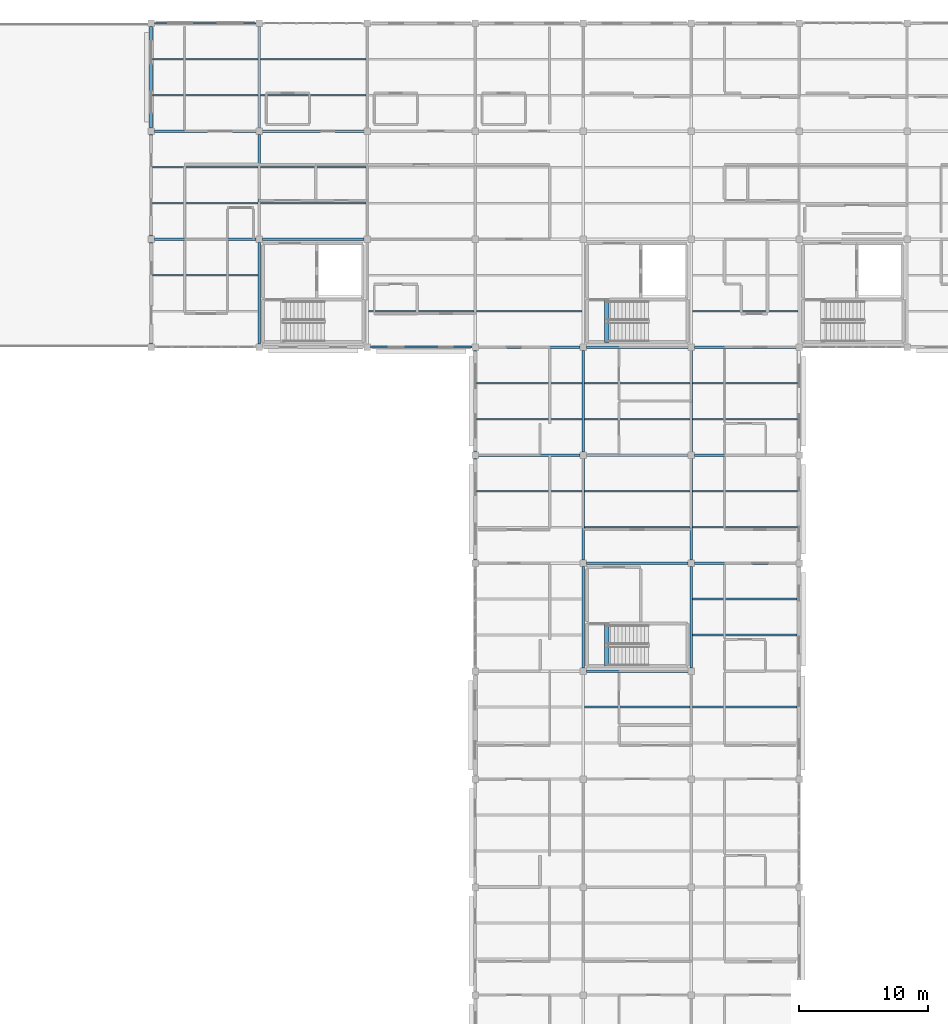
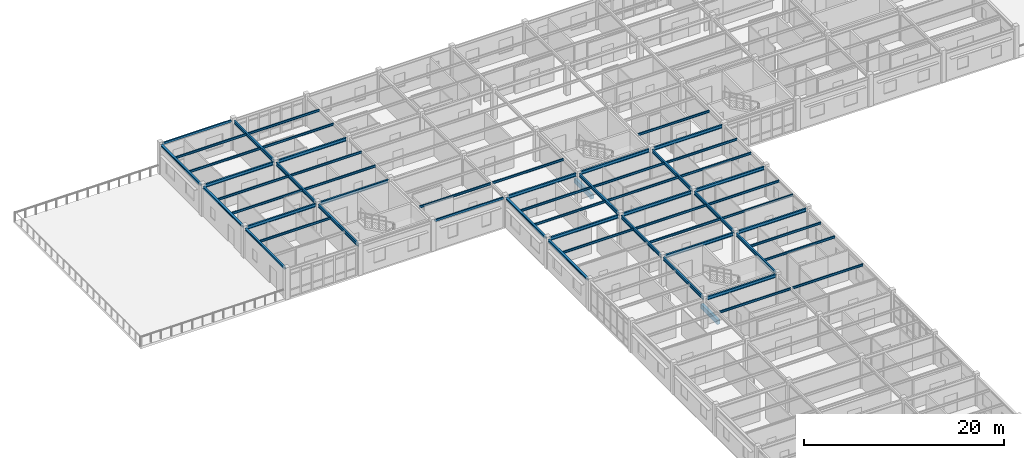
# One storey, part 15 of 53: 58 beams.
"""IFC4 building model written with IfcOpenShell, lengths in metres."""

import ifcopenshell
import ifcopenshell.guid

model = None  # the IFC model being written
_history = None  # IfcOwnerHistory: only IFC2X3 demands one
_inside = {}  # id of a spatial element -> (the spatial element, [elements in it])
_under = {}  # id of a project, library or spatial element -> (it, [spatial elements below it])
_declared = {}  # id of a project -> (the project, [libraries it declares])
_typed = {}  # id of a type object -> (the type object, [elements of that type])
_made_of = {}  # id of a material, layer set ... -> (it, [elements and type objects made of it])


def new_model(schema):
    """Start an empty IFC model of exactly this schema.

    Asked for "IFC4X3", IfcOpenShell would pick the latest addendum, in which some entities
    have other attributes; the version numbers below select the first issue.
    IFC2X3 requires an IfcOwnerHistory on every rooted entity: one is made here for all.
    """
    global model, _history
    if schema == "IFC4X3":
        model = ifcopenshell.file(schema_version=(4, 3, 0, 0))
    else:
        model = ifcopenshell.file(schema=schema)
    _inside.clear()
    _under.clear()
    _declared.clear()
    _typed.clear()
    _made_of.clear()
    _history = None
    if model.schema == "IFC2X3":
        org = make("IfcOrganization", Name="unknown")
        user = make(
            "IfcPersonAndOrganization",
            ThePerson=make("IfcPerson", FamilyName="unknown"),
            TheOrganization=org,
        )
        app = make(
            "IfcApplication",
            ApplicationDeveloper=org,
            Version="unknown",
            ApplicationFullName="unknown",
            ApplicationIdentifier="unknown",
        )
        _history = make(
            "IfcOwnerHistory",
            OwningUser=user,
            OwningApplication=app,
            ChangeAction="ADDED",
            CreationDate=0,
        )
    return model


def make(cls, **values):
    """One entity of the class cls with the attributes given. An attribute that is None is left unset."""
    return model.create_entity(
        cls, **{name: value for name, value in values.items() if value is not None}
    )


def rooted(cls, **values):
    """An entity with a GlobalId (a new one), such as an element, a storey or a relation."""
    return make(cls, GlobalId=ifcopenshell.guid.new(), OwnerHistory=_history, **values)


def si_unit(unit_type, name, prefix=None):
    """IfcSIUnit, for example si_unit("LENGTHUNIT", "METRE", prefix="MILLI")."""
    return make("IfcSIUnit", UnitType=unit_type, Prefix=prefix, Name=name)


def assignment(units):
    """IfcUnitAssignment: the units of a project."""
    return None if units is None else make("IfcUnitAssignment", Units=units)


def point(xyz):
    """IfcCartesianPoint."""
    return None if xyz is None else make("IfcCartesianPoint", Coordinates=xyz)


def direction(xyz):
    """IfcDirection."""
    return None if xyz is None else make("IfcDirection", DirectionRatios=xyz)


def frame(location, z_axis=None, x_axis=None):
    """IfcAxis2Placement3D, a coordinate frame: its origin and axes. An axis left out is left unset."""
    return make(
        "IfcAxis2Placement3D",
        Location=point(location),
        Axis=direction(z_axis),
        RefDirection=direction(x_axis),
    )


def frame_2d(location, x_axis=None):
    """IfcAxis2Placement2D, a coordinate frame in the plane: its origin and x axis."""
    return make(
        "IfcAxis2Placement2D", Location=point(location), RefDirection=direction(x_axis)
    )


def origin():
    """The frame at (0, 0, 0) with its axes left unset."""
    return frame((0.0, 0.0, 0.0))


def origin_2d():
    """The frame at (0, 0) in the plane with its x axis left unset."""
    return frame_2d((0.0, 0.0))


def place(relative_to, where):
    """IfcLocalPlacement: puts the frame where relative to a parent placement (None: the world)."""
    return make(
        "IfcLocalPlacement", PlacementRelTo=relative_to, RelativePlacement=where
    )


def context(
    kind, dimensions, precision=None, world=None, true_north=None, identifier=None
):
    """IfcGeometricRepresentationContext, for example the 3D "Model" context."""
    return make(
        "IfcGeometricRepresentationContext",
        ContextIdentifier=identifier,
        ContextType=kind,
        CoordinateSpaceDimension=dimensions,
        Precision=precision,
        WorldCoordinateSystem=world,
        TrueNorth=true_north,
    )


def subcontext(parent, identifier, kind, view, scale=None):
    """IfcGeometricRepresentationSubContext, for example "Body" below "Model"."""
    return make(
        "IfcGeometricRepresentationSubContext",
        ContextIdentifier=identifier,
        ContextType=kind,
        ParentContext=parent,
        TargetScale=scale,
        TargetView=view,
    )


def project(units=None, contexts=None):
    """IfcProject with its units and contexts."""
    return rooted(
        "IfcProject",
        Name="project",
        RepresentationContexts=contexts,
        UnitsInContext=assignment(units),
    )


def spatial(cls, under=None, at=None, **own):
    """A site, building, storey or space (cls), placed at a placement, below another one or the project."""
    s = rooted(cls, ObjectPlacement=at, **own)
    if under is not None:
        _under.setdefault(under.id(), (under, []))[1].append(s)
    return s


def profile(cls, at=None, kind="AREA", **sizes):
    """A parametric profile (cls). Its sizes go by their IFC names, for example OverallWidth=200.0."""
    return make(cls, ProfileType=kind, Position=at, **sizes)


def rectangle(**sizes):
    """IfcRectangleProfileDef."""
    return profile("IfcRectangleProfileDef", **sizes)


def hollow_rectangle(**sizes):
    """IfcRectangleHollowProfileDef."""
    return profile("IfcRectangleHollowProfileDef", **sizes)


def i_section(**sizes):
    """IfcIShapeProfileDef."""
    return profile("IfcIShapeProfileDef", **sizes)


def extrude(swept, where, along, depth):
    """IfcExtrudedAreaSolid: the profile swept, set in the frame where, extruded along a direction by depth."""
    return make(
        "IfcExtrudedAreaSolid",
        SweptArea=swept,
        Position=where,
        ExtrudedDirection=direction(along),
        Depth=depth,
    )


def shape(context_of_items, identifier, shape_type, items):
    """IfcShapeRepresentation: the items that make up one representation, for example the "Body"."""
    return make(
        "IfcShapeRepresentation",
        ContextOfItems=context_of_items,
        RepresentationIdentifier=identifier,
        RepresentationType=shape_type,
        Items=items,
    )


def material(Name=None, Category=None):
    """IfcMaterial."""
    return make("IfcMaterial", Name=Name, Category=Category)


def material_profile(
    of_material, cross_section, Name=None, Category=None, Priority=None
):
    """IfcMaterialProfile: a cross section and its material."""
    return make(
        "IfcMaterialProfile",
        Name=Name,
        Material=of_material,
        Profile=cross_section,
        Priority=Priority,
        Category=Category,
    )


def profile_set(profiles, Name=None, composite=None):
    """IfcMaterialProfileSet."""
    return make(
        "IfcMaterialProfileSet",
        Name=Name,
        MaterialProfiles=profiles,
        CompositeProfile=composite,
    )


def made_of(thing, what):
    """Note that an element or type object is made of a material, layer set ...; save() writes the relation."""
    if what is not None:
        _made_of.setdefault(what.id(), (what, []))[1].append(thing)
    return thing


def type_object(cls, material=None, **own):
    """A type object (cls), such as IfcWallType, which elements share."""
    return made_of(rooted(cls, **own), material)


def element(
    cls,
    number,
    at=None,
    inside=None,
    cuts=None,
    type_object=None,
    material=None,
    context=None,
    identifier="Body",
    shape_type=None,
    held_by="IfcProductDefinitionShape",
    body=None,
    shapes=None,
    **own,
):
    """One element of the class cls, such as IfcWall. Its Tag is "e" and its number.

    at: its placement. inside: the storey or other place that contains it. cuts: it is an
    opening in that element (IfcRelVoidsElement). A single representation is given by context,
    identifier, shape_type and body (its items); several are given by shapes. held_by: the class
    of the entity that holds the representations. save() writes the other relations.
    """
    e = rooted(cls, Tag="e%d" % number, ObjectPlacement=at, **own)
    if body is not None:
        shapes = [shape(context, identifier, shape_type, body)]
    if shapes is not None:
        e.Representation = make(held_by, Representations=shapes)
    if inside is not None:
        _inside.setdefault(inside.id(), (inside, []))[1].append(e)
    if cuts is not None:
        rooted(
            "IfcRelVoidsElement", RelatingBuildingElement=cuts, RelatedOpeningElement=e
        )
    if type_object is not None:
        _typed.setdefault(type_object.id(), (type_object, []))[1].append(e)
    return made_of(e, material)


def aggregate(whole, parts):
    """IfcRelAggregates: a whole, such as a stair, and the parts it consists of."""
    return rooted("IfcRelAggregates", RelatingObject=whole, RelatedObjects=parts)


def save(model, path):
    """Write the relations noted so far, then the file.

    IfcRelAggregates (storeys below a building ...), IfcRelContainedInSpatialStructure (elements
    in a storey), IfcRelDefinesByType, IfcRelAssociatesMaterial and IfcRelDeclares: one each for
    every whole, place, type object, material and project.
    """
    for whole, parts in _under.values():
        aggregate(whole, parts)
    for where, things in _inside.values():
        rooted(
            "IfcRelContainedInSpatialStructure",
            RelatedElements=things,
            RelatingStructure=where,
        )
    for kind, things in _typed.values():
        rooted("IfcRelDefinesByType", RelatedObjects=things, RelatingType=kind)
    for what, things in _made_of.values():
        rooted("IfcRelAssociatesMaterial", RelatedObjects=things, RelatingMaterial=what)
    for by, libraries in _declared.values():
        rooted("IfcRelDeclares", RelatingContext=by, RelatedDefinitions=libraries)
    model.write(path)


model = new_model("IFC4")

# Units and contexts
model_context = context("Model", 3, precision=1e-05, world=origin(), true_north=direction((0.0, 1.0)))
body_context = subcontext(model_context, "Body", "Model", "MODEL_VIEW")
ifc_project = project(units=[si_unit("LENGTHUNIT", "METRE"), si_unit("AREAUNIT", "SQUARE_METRE"), si_unit("VOLUMEUNIT", "CUBIC_METRE"), si_unit("PLANEANGLEUNIT", "RADIAN"), si_unit("MASSUNIT", "GRAM", prefix="KILO")], contexts=[model_context])

# Site, building, storey
site_placement = place(None, origin())
site = spatial("IfcSite", under=ifc_project, at=site_placement, CompositionType="ELEMENT")
building_placement = place(site_placement, origin())
building = spatial("IfcBuilding", under=site, at=building_placement, Name="Bramfleet General Hospital", CompositionType="ELEMENT")
storey_placement = place(building_placement, frame((0.0, 0.0, 26.39990234375)))
storey = spatial("IfcBuildingStorey", under=building, at=storey_placement, Name="L06", CompositionType="ELEMENT", Elevation=26.39990234375)

# Beams
ifc_material_1 = material(Name="Steel S355", Category="steel")
ifc_material_profile_1 = material_profile(ifc_material_1, i_section(OverallWidth=0.239990234375, OverallDepth=0.22998046875, WebThickness=0.007568359375, FlangeThickness=0.011962890625, FilletRadius=0.02099609375, at=origin_2d()), Name="HEA 240")
ifc_profile_set_1 = profile_set([ifc_material_profile_1], Name="Steel S355")
beam_type_1 = type_object("IfcBeamType", Name="BM-HEA240", PredefinedType="SPANDREL", material=ifc_profile_set_1)
beam_1_placement = place(storey_placement, frame((67.199951171875, 92.64990234375, 3.505126953125), z_axis=(0.0, 1.0, 0.0), x_axis=(-1.0, 0.0, 0.0)))
element("IfcBeam", 1, at=beam_1_placement, inside=storey, type_object=beam_type_1, Name="L06 Grid Beam Y 08-11", PredefinedType="SPANDREL", context=body_context, shape_type="SweptSolid", body=[
    extrude(i_section(OverallWidth=0.239990234375, OverallDepth=0.22998046875, WebThickness=0.007568359375, FlangeThickness=0.011962890625, FilletRadius=0.02099609375, at=origin_2d()), origin(), (0.0, 0.0, 1.0), 7.900146484375),
])
beam_2_placement = place(storey_placement, frame((67.199951171875, 101.050048828125, 3.505126953125), z_axis=(0.0, 1.0, 0.0), x_axis=(-1.0, 0.0, 0.0)))
element("IfcBeam", 2, at=beam_2_placement, inside=storey, type_object=beam_type_1, Name="L06 Grid Beam Y 08-12", PredefinedType="SPANDREL", context=body_context, shape_type="SweptSolid", body=[
    extrude(i_section(OverallWidth=0.239990234375, OverallDepth=0.22998046875, WebThickness=0.007568359375, FlangeThickness=0.011962890625, FilletRadius=0.02099609375, at=origin_2d()), origin(), (0.0, 0.0, 1.0), 7.89990234375),
])
beam_3_placement = place(storey_placement, frame((67.199951171875, 109.449951171875, 3.505126953125), z_axis=(0.0, 1.0, 0.0), x_axis=(-1.0, 0.0, 0.0)))
element("IfcBeam", 3, at=beam_3_placement, inside=storey, type_object=beam_type_1, Name="L06 Grid Beam Y 08-13", PredefinedType="SPANDREL", context=body_context, shape_type="SweptSolid", body=[
    extrude(i_section(OverallWidth=0.239990234375, OverallDepth=0.22998046875, WebThickness=0.007568359375, FlangeThickness=0.011962890625, FilletRadius=0.02099609375, at=origin_2d()), origin(), (0.0, 0.0, 1.0), 7.900146484375),
])
for number, where, z_axis, x_axis, name in (
    (4, (92.39990234375, 75.85009765625, 3.505126953125), (0.0, 1.0, 0.0), (-1.0, 0.0, 0.0), "L06 Grid Beam Y 11-09"),
    (5, (92.39990234375, 84.25, 3.505126953125), (0.0, 1.0, 0.0), (-1.0, 0.0, 0.0), "L06 Grid Beam Y 11-10"),
):
    element("IfcBeam", number, at=place(storey_placement, frame(where, z_axis=z_axis, x_axis=x_axis)), inside=storey, type_object=beam_type_1, Name=name, PredefinedType="SPANDREL", context=body_context, shape_type="SweptSolid", body=[
        extrude(i_section(OverallWidth=0.239990234375, OverallDepth=0.22998046875, WebThickness=0.007568359375, FlangeThickness=0.011962890625, FilletRadius=0.02099609375, at=origin_2d()), origin(), (0.0, 0.0, 1.0), 7.89990234375),
    ])
ifc_material_profile_2 = material_profile(ifc_material_1, i_section(OverallWidth=0.135009765625, OverallDepth=0.27001953125, WebThickness=0.006591796875, FlangeThickness=0.01025390625, FilletRadius=0.014892578125, at=origin_2d()), Name="IPE 270")
ifc_profile_set_2 = profile_set([ifc_material_profile_2], Name="Steel S355")
beam_type_2 = type_object("IfcBeamType", Name="BM-IPE270", PredefinedType="JOIST", material=ifc_profile_set_2)
for number, where, z_axis, x_axis, name in (
    (6, (67.320068359375, 98.0, 3.485107421875), (1.0, 0.0, 0.0), (0.0, 1.0, 0.0), "L06 Secondary Joist 08-11-2"),
    (7, (67.320068359375, 103.60009765625, 3.485107421875), (1.0, 0.0, 0.0), (0.0, 1.0, 0.0), "L06 Secondary Joist 08-12-1"),
    (8, (67.320068359375, 106.39990234375, 3.485107421875), (1.0, 0.0, 0.0), (0.0, 1.0, 0.0), "L06 Secondary Joist 08-12-2"),
    (9, (67.320068359375, 112.0, 3.485107421875), (1.0, 0.0, 0.0), (0.0, 1.0, 0.0), "L06 Secondary Joist 08-13-1"),
    (10, (67.320068359375, 114.800048828125, 3.485107421875), (1.0, 0.0, 0.0), (0.0, 1.0, 0.0), "L06 Secondary Joist 08-13-2"),
):
    element("IfcBeam", number, at=place(storey_placement, frame(where, z_axis=z_axis, x_axis=x_axis)), inside=storey, type_object=beam_type_2, Name=name, PredefinedType="JOIST", context=body_context, shape_type="SweptSolid", body=[
        extrude(i_section(OverallWidth=0.135009765625, OverallDepth=0.27001953125, WebThickness=0.006591796875, FlangeThickness=0.01025390625, FilletRadius=0.014892578125, at=origin_2d()), origin(), (0.0, 0.0, 1.0), 8.18994140625),
    ])
for number, where, z_axis, x_axis, name in (
    (11, (75.68994140625, 103.60009765625, 3.485107421875), (1.0, 0.0, 0.0), (0.0, 1.0, 0.0), "L06 Secondary Joist 09-12-1"),
    (12, (75.68994140625, 106.39990234375, 3.485107421875), (1.0, 0.0, 0.0), (0.0, 1.0, 0.0), "L06 Secondary Joist 09-12-2"),
    (13, (75.68994140625, 112.0, 3.485107421875), (1.0, 0.0, 0.0), (0.0, 1.0, 0.0), "L06 Secondary Joist 09-13-1"),
    (14, (75.68994140625, 114.800048828125, 3.485107421875), (1.0, 0.0, 0.0), (0.0, 1.0, 0.0), "L06 Secondary Joist 09-13-2"),
    (15, (84.090087890625, 95.199951171875, 3.485107421875), (1.0, 0.0, 0.0), (0.0, 1.0, 0.0), "L06 Secondary Joist 10-11-1"),
):
    element("IfcBeam", number, at=place(storey_placement, frame(where, z_axis=z_axis, x_axis=x_axis)), inside=storey, type_object=beam_type_2, Name=name, PredefinedType="JOIST", context=body_context, shape_type="SweptSolid", body=[
        extrude(i_section(OverallWidth=0.135009765625, OverallDepth=0.27001953125, WebThickness=0.006591796875, FlangeThickness=0.01025390625, FilletRadius=0.014892578125, at=origin_2d()), origin(), (0.0, 0.0, 1.0), 8.219970703125),
    ])
for number, where, z_axis, x_axis, name in (
    (16, (92.52001953125, 81.199951171875, 3.485107421875), (1.0, 0.0, 0.0), (0.0, 1.0, 0.0), "L06 Secondary Joist 11-09-2"),
    (17, (92.52001953125, 86.800048828125, 3.485107421875), (1.0, 0.0, 0.0), (0.0, 1.0, 0.0), "L06 Secondary Joist 11-10-1"),
    (18, (92.52001953125, 89.60009765625, 3.485107421875), (1.0, 0.0, 0.0), (0.0, 1.0, 0.0), "L06 Secondary Joist 11-10-2"),
):
    element("IfcBeam", number, at=place(storey_placement, frame(where, z_axis=z_axis, x_axis=x_axis)), inside=storey, type_object=beam_type_2, Name=name, PredefinedType="JOIST", context=body_context, shape_type="SweptSolid", body=[
        extrude(i_section(OverallWidth=0.135009765625, OverallDepth=0.27001953125, WebThickness=0.006591796875, FlangeThickness=0.01025390625, FilletRadius=0.014892578125, at=origin_2d()), origin(), (0.0, 0.0, 1.0), 8.18994140625),
    ])
beam_4_placement = place(storey_placement, frame((92.489990234375, 95.199951171875, 3.485107421875), z_axis=(1.0, 0.0, 0.0), x_axis=(0.0, 1.0, 0.0)))
element("IfcBeam", 19, at=beam_4_placement, inside=storey, type_object=beam_type_2, Name="L06 Secondary Joist 11-11-1", PredefinedType="JOIST", context=body_context, shape_type="SweptSolid", body=[
    extrude(i_section(OverallWidth=0.135009765625, OverallDepth=0.27001953125, WebThickness=0.006591796875, FlangeThickness=0.01025390625, FilletRadius=0.014892578125, at=origin_2d()), origin(), (0.0, 0.0, 1.0), 8.219970703125),
])
for number, where, z_axis, x_axis, name in (
    (20, (100.889892578125, 64.39990234375, 3.485107421875), (1.0, 0.0, 0.0), (0.0, 1.0, 0.0), "L06 Secondary Joist 12-07-2"),
    (21, (100.889892578125, 78.39990234375, 3.485107421875), (1.0, 0.0, 0.0), (0.0, 1.0, 0.0), "L06 Secondary Joist 12-09-1"),
    (22, (100.889892578125, 81.199951171875, 3.485107421875), (1.0, 0.0, 0.0), (0.0, 1.0, 0.0), "L06 Secondary Joist 12-09-2"),
    (23, (100.889892578125, 86.800048828125, 3.485107421875), (1.0, 0.0, 0.0), (0.0, 1.0, 0.0), "L06 Secondary Joist 12-10-1"),
    (24, (100.889892578125, 89.60009765625, 3.485107421875), (1.0, 0.0, 0.0), (0.0, 1.0, 0.0), "L06 Secondary Joist 12-10-2"),
):
    element("IfcBeam", number, at=place(storey_placement, frame(where, z_axis=z_axis, x_axis=x_axis)), inside=storey, type_object=beam_type_2, Name=name, PredefinedType="JOIST", context=body_context, shape_type="SweptSolid", body=[
        extrude(i_section(OverallWidth=0.135009765625, OverallDepth=0.27001953125, WebThickness=0.006591796875, FlangeThickness=0.01025390625, FilletRadius=0.014892578125, at=origin_2d()), origin(), (0.0, 0.0, 1.0), 8.22021484375),
    ])
for number, where, z_axis, x_axis, name in (
    (25, (109.2900390625, 64.39990234375, 3.485107421875), (1.0, 0.0, 0.0), (0.0, 1.0, 0.0), "L06 Secondary Joist 13-07-2"),
    (26, (109.2900390625, 70.0, 3.485107421875), (1.0, 0.0, 0.0), (0.0, 1.0, 0.0), "L06 Secondary Joist 13-08-1"),
    (27, (109.2900390625, 72.800048828125, 3.485107421875), (1.0, 0.0, 0.0), (0.0, 1.0, 0.0), "L06 Secondary Joist 13-08-2"),
):
    element("IfcBeam", number, at=place(storey_placement, frame(where, z_axis=z_axis, x_axis=x_axis)), inside=storey, type_object=beam_type_2, Name=name, PredefinedType="JOIST", context=body_context, shape_type="SweptSolid", body=[
        extrude(i_section(OverallWidth=0.135009765625, OverallDepth=0.27001953125, WebThickness=0.006591796875, FlangeThickness=0.01025390625, FilletRadius=0.014892578125, at=origin_2d()), origin(), (0.0, 0.0, 1.0), 8.159912109375),
    ])
for number, where, z_axis, x_axis, name in (
    (28, (109.2900390625, 78.39990234375, 3.485107421875), (1.0, 0.0, 0.0), (0.0, 1.0, 0.0), "L06 Secondary Joist 13-09-1"),
    (29, (109.2900390625, 81.199951171875, 3.485107421875), (1.0, 0.0, 0.0), (0.0, 1.0, 0.0), "L06 Secondary Joist 13-09-2"),
    (30, (109.2900390625, 86.800048828125, 3.485107421875), (1.0, 0.0, 0.0), (0.0, 1.0, 0.0), "L06 Secondary Joist 13-10-1"),
    (31, (109.2900390625, 89.60009765625, 3.485107421875), (1.0, 0.0, 0.0), (0.0, 1.0, 0.0), "L06 Secondary Joist 13-10-2"),
):
    element("IfcBeam", number, at=place(storey_placement, frame(where, z_axis=z_axis, x_axis=x_axis)), inside=storey, type_object=beam_type_2, Name=name, PredefinedType="JOIST", context=body_context, shape_type="SweptSolid", body=[
        extrude(i_section(OverallWidth=0.135009765625, OverallDepth=0.27001953125, WebThickness=0.006591796875, FlangeThickness=0.01025390625, FilletRadius=0.014892578125, at=origin_2d()), origin(), (0.0, 0.0, 1.0), 8.18994140625),
    ])
beam_5_placement = place(storey_placement, frame((109.2900390625, 95.199951171875, 3.485107421875), z_axis=(1.0, 0.0, 0.0), x_axis=(0.0, 1.0, 0.0)))
element("IfcBeam", 32, at=beam_5_placement, inside=storey, type_object=beam_type_2, Name="L06 Secondary Joist 13-11-1", PredefinedType="JOIST", context=body_context, shape_type="SweptSolid", body=[
    extrude(i_section(OverallWidth=0.135009765625, OverallDepth=0.27001953125, WebThickness=0.006591796875, FlangeThickness=0.01025390625, FilletRadius=0.014892578125, at=origin_2d()), origin(), (0.0, 0.0, 1.0), 8.219970703125),
])
ifc_material_profile_3 = material_profile(ifc_material_1, i_section(OverallWidth=0.179931640625, OverallDepth=0.39990234375, WebThickness=0.008544921875, FlangeThickness=0.013427734375, FilletRadius=0.02099609375, at=origin_2d()), Name="IPE 400")
ifc_profile_set_3 = profile_set([ifc_material_profile_3], Name="Steel S355")
beam_type_3 = type_object("IfcBeamType", Name="BM-IPE400", PredefinedType="BEAM", material=ifc_profile_set_3)
for number, where, z_axis, x_axis, name in (
    (33, (67.449951171875, 100.800048828125, 3.420166015625), (1.0, 0.0, 0.0), (0.0, 1.0, 0.0), "L06 Grid Beam X 08-12"),
    (34, (67.449951171875, 109.199951171875, 3.420166015625), (1.0, 0.0, 0.0), (0.0, 1.0, 0.0), "L06 Grid Beam X 08-13"),
):
    element("IfcBeam", number, at=place(storey_placement, frame(where, z_axis=z_axis, x_axis=x_axis)), inside=storey, type_object=beam_type_3, Name=name, PredefinedType="BEAM", context=body_context, shape_type="SweptSolid", body=[
        extrude(i_section(OverallWidth=0.179931640625, OverallDepth=0.39990234375, WebThickness=0.008544921875, FlangeThickness=0.013427734375, FilletRadius=0.02099609375, at=origin_2d()), origin(), (0.0, 0.0, 1.0), 7.900146484375),
    ])
for number, where, z_axis, x_axis, name in (
    (35, (75.85009765625, 100.800048828125, 3.420166015625), (1.0, 0.0, 0.0), (0.0, 1.0, 0.0), "L06 Grid Beam X 09-12"),
    (36, (75.85009765625, 109.199951171875, 3.420166015625), (1.0, 0.0, 0.0), (0.0, 1.0, 0.0), "L06 Grid Beam X 09-13"),
):
    element("IfcBeam", number, at=place(storey_placement, frame(where, z_axis=z_axis, x_axis=x_axis)), inside=storey, type_object=beam_type_3, Name=name, PredefinedType="BEAM", context=body_context, shape_type="SweptSolid", body=[
        extrude(i_section(OverallWidth=0.179931640625, OverallDepth=0.39990234375, WebThickness=0.008544921875, FlangeThickness=0.013427734375, FilletRadius=0.02099609375, at=origin_2d()), origin(), (0.0, 0.0, 1.0), 7.89990234375),
    ])
for number, where, z_axis, x_axis, name in (
    (37, (92.64990234375, 84.0, 3.420166015625), (1.0, 0.0, 0.0), (0.0, 1.0, 0.0), "L06 Grid Beam X 11-10"),
    (38, (92.64990234375, 92.39990234375, 3.420166015625), (1.0, 0.0, 0.0), (0.0, 1.0, 0.0), "L06 Grid Beam X 11-11"),
):
    element("IfcBeam", number, at=place(storey_placement, frame(where, z_axis=z_axis, x_axis=x_axis)), inside=storey, type_object=beam_type_3, Name=name, PredefinedType="BEAM", context=body_context, shape_type="SweptSolid", body=[
        extrude(i_section(OverallWidth=0.179931640625, OverallDepth=0.39990234375, WebThickness=0.008544921875, FlangeThickness=0.013427734375, FilletRadius=0.02099609375, at=origin_2d()), origin(), (0.0, 0.0, 1.0), 7.900146484375),
    ])
for number, where, z_axis, x_axis, name in (
    (39, (101.050048828125, 67.199951171875, 3.420166015625), (1.0, 0.0, 0.0), (0.0, 1.0, 0.0), "L06 Grid Beam X 12-08"),
    (40, (101.050048828125, 75.60009765625, 3.420166015625), (1.0, 0.0, 0.0), (0.0, 1.0, 0.0), "L06 Grid Beam X 12-09"),
    (41, (101.050048828125, 84.0, 3.420166015625), (1.0, 0.0, 0.0), (0.0, 1.0, 0.0), "L06 Grid Beam X 12-10"),
    (42, (101.050048828125, 92.39990234375, 3.420166015625), (1.0, 0.0, 0.0), (0.0, 1.0, 0.0), "L06 Grid Beam X 12-11"),
):
    element("IfcBeam", number, at=place(storey_placement, frame(where, z_axis=z_axis, x_axis=x_axis)), inside=storey, type_object=beam_type_3, Name=name, PredefinedType="BEAM", context=body_context, shape_type="SweptSolid", body=[
        extrude(i_section(OverallWidth=0.179931640625, OverallDepth=0.39990234375, WebThickness=0.008544921875, FlangeThickness=0.013427734375, FilletRadius=0.02099609375, at=origin_2d()), origin(), (0.0, 0.0, 1.0), 7.89990234375),
    ])
for number, where, z_axis, x_axis, name in (
    (43, (109.449951171875, 75.60009765625, 3.420166015625), (1.0, 0.0, 0.0), (0.0, 1.0, 0.0), "L06 Grid Beam X 13-09"),
    (44, (109.449951171875, 84.0, 3.420166015625), (1.0, 0.0, 0.0), (0.0, 1.0, 0.0), "L06 Grid Beam X 13-10"),
    (45, (109.449951171875, 92.39990234375, 3.420166015625), (1.0, 0.0, 0.0), (0.0, 1.0, 0.0), "L06 Grid Beam X 13-11"),
    (46, (75.60009765625, 92.64990234375, 3.420166015625), (0.0, 1.0, 0.0), (-1.0, 0.0, 0.0), "L06 Grid Beam Y 09-11"),
):
    element("IfcBeam", number, at=place(storey_placement, frame(where, z_axis=z_axis, x_axis=x_axis)), inside=storey, type_object=beam_type_3, Name=name, PredefinedType="BEAM", context=body_context, shape_type="SweptSolid", body=[
        extrude(i_section(OverallWidth=0.179931640625, OverallDepth=0.39990234375, WebThickness=0.008544921875, FlangeThickness=0.013427734375, FilletRadius=0.02099609375, at=origin_2d()), origin(), (0.0, 0.0, 1.0), 7.900146484375),
    ])
beam_6_placement = place(storey_placement, frame((75.60009765625, 101.050048828125, 3.420166015625), z_axis=(0.0, 1.0, 0.0), x_axis=(-1.0, 0.0, 0.0)))
element("IfcBeam", 47, at=beam_6_placement, inside=storey, type_object=beam_type_3, Name="L06 Grid Beam Y 09-12", PredefinedType="BEAM", context=body_context, shape_type="SweptSolid", body=[
    extrude(i_section(OverallWidth=0.179931640625, OverallDepth=0.39990234375, WebThickness=0.008544921875, FlangeThickness=0.013427734375, FilletRadius=0.02099609375, at=origin_2d()), origin(), (0.0, 0.0, 1.0), 7.89990234375),
])
for number, where, z_axis, x_axis, name in (
    (48, (75.60009765625, 109.449951171875, 3.420166015625), (0.0, 1.0, 0.0), (-1.0, 0.0, 0.0), "L06 Grid Beam Y 09-13"),
    (49, (100.800048828125, 67.449951171875, 3.420166015625), (0.0, 1.0, 0.0), (-1.0, 0.0, 0.0), "L06 Grid Beam Y 12-08"),
):
    element("IfcBeam", number, at=place(storey_placement, frame(where, z_axis=z_axis, x_axis=x_axis)), inside=storey, type_object=beam_type_3, Name=name, PredefinedType="BEAM", context=body_context, shape_type="SweptSolid", body=[
        extrude(i_section(OverallWidth=0.179931640625, OverallDepth=0.39990234375, WebThickness=0.008544921875, FlangeThickness=0.013427734375, FilletRadius=0.02099609375, at=origin_2d()), origin(), (0.0, 0.0, 1.0), 7.900146484375),
    ])
for number, where, z_axis, x_axis, name in (
    (50, (100.800048828125, 75.85009765625, 3.420166015625), (0.0, 1.0, 0.0), (-1.0, 0.0, 0.0), "L06 Grid Beam Y 12-09"),
    (51, (100.800048828125, 84.25, 3.420166015625), (0.0, 1.0, 0.0), (-1.0, 0.0, 0.0), "L06 Grid Beam Y 12-10"),
):
    element("IfcBeam", number, at=place(storey_placement, frame(where, z_axis=z_axis, x_axis=x_axis)), inside=storey, type_object=beam_type_3, Name=name, PredefinedType="BEAM", context=body_context, shape_type="SweptSolid", body=[
        extrude(i_section(OverallWidth=0.179931640625, OverallDepth=0.39990234375, WebThickness=0.008544921875, FlangeThickness=0.013427734375, FilletRadius=0.02099609375, at=origin_2d()), origin(), (0.0, 0.0, 1.0), 7.89990234375),
    ])
beam_7_placement = place(storey_placement, frame((109.199951171875, 67.449951171875, 3.420166015625), z_axis=(0.0, 1.0, 0.0), x_axis=(-1.0, 0.0, 0.0)))
element("IfcBeam", 52, at=beam_7_placement, inside=storey, type_object=beam_type_3, Name="L06 Grid Beam Y 13-08", PredefinedType="BEAM", context=body_context, shape_type="SweptSolid", body=[
    extrude(i_section(OverallWidth=0.179931640625, OverallDepth=0.39990234375, WebThickness=0.008544921875, FlangeThickness=0.013427734375, FilletRadius=0.02099609375, at=origin_2d()), origin(), (0.0, 0.0, 1.0), 7.900146484375),
])
for number, where, z_axis, x_axis, name in (
    (53, (109.199951171875, 75.85009765625, 3.420166015625), (0.0, 1.0, 0.0), (-1.0, 0.0, 0.0), "L06 Grid Beam Y 13-09"),
    (54, (109.199951171875, 84.25, 3.420166015625), (0.0, 1.0, 0.0), (-1.0, 0.0, 0.0), "L06 Grid Beam Y 13-10"),
):
    element("IfcBeam", number, at=place(storey_placement, frame(where, z_axis=z_axis, x_axis=x_axis)), inside=storey, type_object=beam_type_3, Name=name, PredefinedType="BEAM", context=body_context, shape_type="SweptSolid", body=[
        extrude(i_section(OverallWidth=0.179931640625, OverallDepth=0.39990234375, WebThickness=0.008544921875, FlangeThickness=0.013427734375, FilletRadius=0.02099609375, at=origin_2d()), origin(), (0.0, 0.0, 1.0), 7.89990234375),
    ])
ifc_material_2 = material(Name="Concrete C35/45", Category="concrete")
ifc_material_profile_4 = material_profile(ifc_material_2, rectangle(XDim=0.35009765625, YDim=0.550048828125, at=origin_2d()), Name="RC BM 550x350")
ifc_profile_set_4 = profile_set([ifc_material_profile_4], Name="Concrete C35/45")
beam_type_4 = type_object("IfcBeamType", Name="BM-RC550", PredefinedType="BEAM", material=ifc_profile_set_4)
beam_8_placement = place(storey_placement, frame((102.639892578125, 92.780029296875, -0.27490234375), z_axis=(0.0, 1.0, 0.0), x_axis=(-1.0, 0.0, 0.0)))
element("IfcBeam", 55, at=beam_8_placement, inside=storey, type_object=beam_type_4, Name="L06 C4 Stairwell Trimmer Beam", PredefinedType="BEAM", context=body_context, shape_type="SweptSolid", body=[
    extrude(rectangle(XDim=0.35009765625, YDim=0.550048828125, at=origin_2d()), origin(), (0.0, 0.0, 1.0), 3.320068359375),
])
beam_9_placement = place(storey_placement, frame((102.639892578125, 67.580078125, -0.27490234375), z_axis=(0.0, 1.0, 0.0), x_axis=(-1.0, 0.0, 0.0)))
element("IfcBeam", 56, at=beam_9_placement, inside=storey, type_object=beam_type_4, Name="L06 C11 Stairwell Trimmer Beam", PredefinedType="BEAM", context=body_context, shape_type="SweptSolid", body=[
    extrude(rectangle(XDim=0.35009765625, YDim=0.550048828125, at=origin_2d()), origin(), (0.0, 0.0, 1.0), 3.31982421875),
])
ifc_material_profile_5 = material_profile(ifc_material_1, hollow_rectangle(XDim=0.14990234375, YDim=0.25, WallThickness=0.010009765625, at=origin_2d()), Name="RHS 250x150x10.0")
ifc_profile_set_5 = profile_set([ifc_material_profile_5], Name="Steel S355")
beam_type_5 = type_object("IfcBeamType", Name="BM-RHS250", PredefinedType="SPANDREL", material=ifc_profile_set_5)
beam_10_placement = place(storey_placement, frame((67.449951171875, 117.60009765625, 3.4951171875), z_axis=(1.0, 0.0, 0.0), x_axis=(0.0, 1.0, 0.0)))
element("IfcBeam", 57, at=beam_10_placement, inside=storey, type_object=beam_type_5, Name="L06 Grid Beam X 08-14", PredefinedType="SPANDREL", context=body_context, shape_type="SweptSolid", body=[
    extrude(hollow_rectangle(XDim=0.14990234375, YDim=0.25, WallThickness=0.010009765625, at=origin_2d()), origin(), (0.0, 0.0, 1.0), 7.900146484375),
])
beam_11_placement = place(storey_placement, frame((84.25, 92.39990234375, 3.4951171875), z_axis=(1.0, 0.0, 0.0), x_axis=(0.0, 1.0, 0.0)))
element("IfcBeam", 58, at=beam_11_placement, inside=storey, type_object=beam_type_5, Name="L06 Grid Beam X 10-11", PredefinedType="SPANDREL", context=body_context, shape_type="SweptSolid", body=[
    extrude(hollow_rectangle(XDim=0.14990234375, YDim=0.25, WallThickness=0.010009765625, at=origin_2d()), origin(), (0.0, 0.0, 1.0), 7.89990234375),
])

save(model, "model.ifc")
